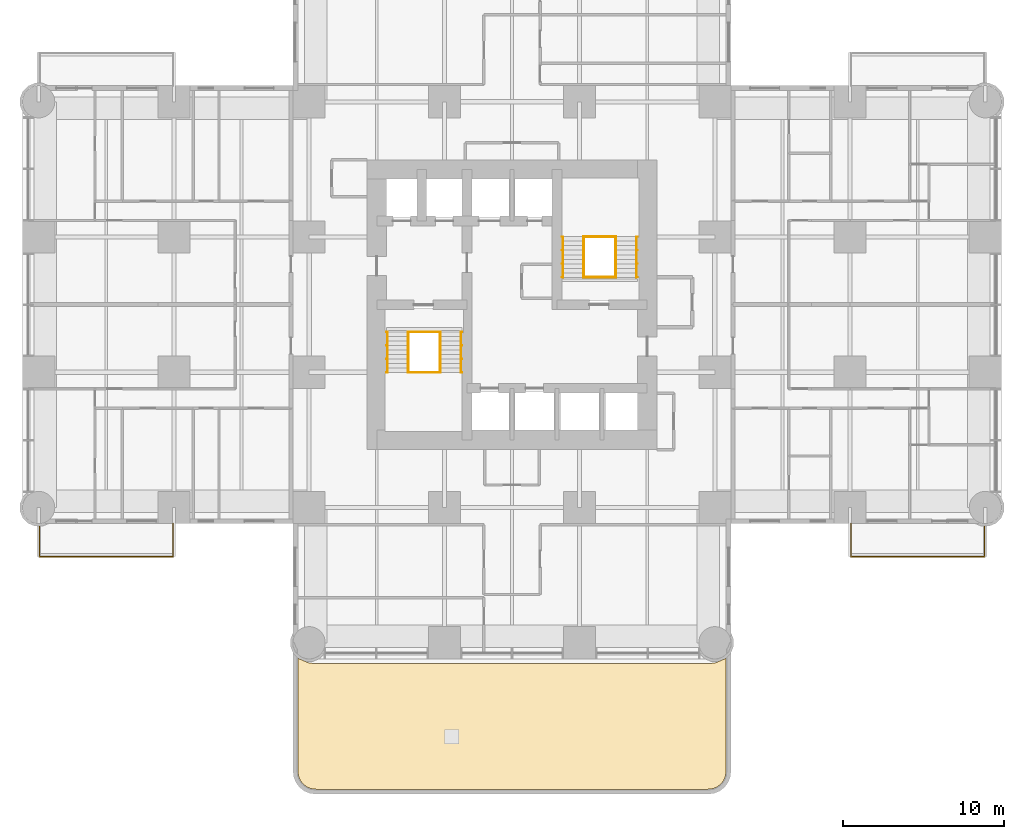
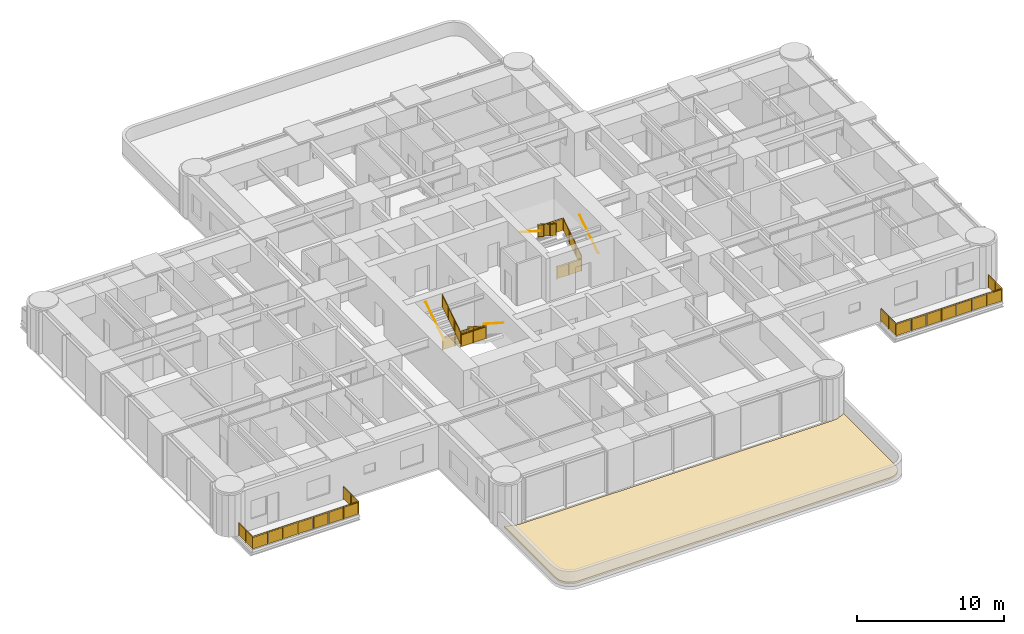
# One storey, part 13 of 14: 14 railings, 1 covering.
"""IFC4 building model written with IfcOpenShell, lengths in metres."""

from ifc_helpers import new_model, si_unit, direction, frame, origin, origin_2d, place, context, subcontext, project, spatial, polyline, circle, outline, extrude, material, layer, layer_set, constituent, constituent_set, type_object, element, save


model = new_model("IFC4")

# Units and contexts
model_context = context("Model", 3, precision=1e-05, world=origin(), true_north=direction((0.0, 1.0)))
body_context = subcontext(model_context, "Body", "Model", "MODEL_VIEW")
ifc_project = project(units=[si_unit("LENGTHUNIT", "METRE"), si_unit("AREAUNIT", "SQUARE_METRE"), si_unit("VOLUMEUNIT", "CUBIC_METRE"), si_unit("PLANEANGLEUNIT", "RADIAN"), si_unit("MASSUNIT", "GRAM", prefix="KILO")], contexts=[model_context])

# Site, building, storey
site_placement = place(None, origin())
site = spatial("IfcSite", under=ifc_project, at=site_placement, CompositionType="ELEMENT")
building_placement = place(site_placement, origin())
building = spatial("IfcBuilding", under=site, at=building_placement, Name="Torre Alcanfor", CompositionType="ELEMENT")
storey_placement = place(building_placement, frame((0.0, 0.0, 108.89990234375)))
storey = spatial("IfcBuildingStorey", under=building, at=storey_placement, Name="L27", CompositionType="ELEMENT", Elevation=108.89990234375)

# Railings
ifc_material_1 = material(Name="Laminated safety glass", Category="glass")
ifc_constituent_1 = constituent(ifc_material_1, Name="Infill")
ifc_material_2 = material(Name="Stainless steel ASTM A554 Grade MT 316L tube", Category="steel")
ifc_constituent_2 = constituent(ifc_material_2, Name="Posts and rail")
ifc_constituent_set = constituent_set(constituents=[ifc_constituent_1, ifc_constituent_2], Name="Balcony guard glass 1100")
railing_type_1 = type_object("IfcRailingType", Name="Balcony guard glass 1100", PredefinedType="BALUSTRADE", material=ifc_constituent_set)
railing_1_placement = place(storey_placement, frame((50.449951171875, 15.800048828125, 0.0)))
element("IfcRailing", 1, at=railing_1_placement, inside=storey, type_object=railing_type_1, Name="Balcony guard L27-E2", PredefinedType="BALUSTRADE", context=body_context, shape_type="SweptSolid", body=[
    extrude(circle(Radius=0.02392578125, at=origin_2d()), frame((0.0, 0.0, 1.076171875), z_axis=(0.0, -1.0, 0.0), x_axis=(1.0, 0.0, 0.0)), (0.0, 0.0, 1.0), 2.050048828125),
    extrude(circle(Radius=0.02392578125, at=origin_2d()), frame((0.0, -2.050048828125, 1.076171875), z_axis=(1.0, 0.0, 0.0), x_axis=(0.0, 1.0, 0.0)), (0.0, 0.0, 1.0), 8.300048828125),
    extrude(circle(Radius=0.02392578125, at=origin_2d()), frame((8.300048828125, -2.050048828125, 1.076171875), z_axis=(0.0, 1.0, 0.0), x_axis=(-1.0, 0.0, 0.0)), (0.0, 0.0, 1.0), 1.868896484375),
    extrude(circle(Radius=0.02099609375, at=origin_2d()), origin(), (0.0, 0.0, 1.0), 1.052001953125),
    extrude(circle(Radius=0.02099609375, at=origin_2d()), frame((0.0, -1.02490234375, 0.0)), (0.0, 0.0, 1.0), 1.052001953125),
    extrude(circle(Radius=0.02099609375, at=origin_2d()), frame((0.0, -2.050048828125, 0.0)), (0.0, 0.0, 1.0), 1.052001953125),
    extrude(circle(Radius=0.02099609375, at=origin_2d()), frame((1.185791015625, -2.050048828125, 0.0)), (0.0, 0.0, 1.0), 1.052001953125),
    extrude(circle(Radius=0.02099609375, at=origin_2d()), frame((2.371337890625, -2.050048828125, 0.0)), (0.0, 0.0, 1.0), 1.052001953125),
    extrude(circle(Radius=0.02099609375, at=origin_2d()), frame((3.55712890625, -2.050048828125, 0.0)), (0.0, 0.0, 1.0), 1.052001953125),
    extrude(circle(Radius=0.02099609375, at=origin_2d()), frame((4.742919921875, -2.050048828125, 0.0)), (0.0, 0.0, 1.0), 1.052001953125),
    extrude(circle(Radius=0.02099609375, at=origin_2d()), frame((5.9287109375, -2.050048828125, 0.0)), (0.0, 0.0, 1.0), 1.052001953125),
    extrude(circle(Radius=0.02099609375, at=origin_2d()), frame((7.1142578125, -2.050048828125, 0.0)), (0.0, 0.0, 1.0), 1.052001953125),
    extrude(circle(Radius=0.02099609375, at=origin_2d()), frame((8.300048828125, -2.050048828125, 0.0)), (0.0, 0.0, 1.0), 1.052001953125),
    extrude(circle(Radius=0.02099609375, at=origin_2d()), frame((8.300048828125, -1.11572265625, 0.0)), (0.0, 0.0, 1.0), 1.052001953125),
    extrude(circle(Radius=0.02099609375, at=origin_2d()), frame((8.300048828125, -0.18115234375, 0.0)), (0.0, 0.0, 1.0), 1.052001953125),
    extrude(outline(polyline([(0.041015625, 0.050048828125), (0.984130859375, 0.050048828125), (0.984130859375, 1.001953125), (0.041015625, 1.001953125), (0.041015625, 0.050048828125)])), frame((0.005859375, 0.0, 0.0), z_axis=(-1.0, 0.0, 0.0), x_axis=(0.0, -1.0, 0.0)), (0.0, 0.0, 1.0), 0.011962890625),
    extrude(outline(polyline([(1.06591796875, 0.050048828125), (2.009033203125, 0.050048828125), (2.009033203125, 1.001953125), (1.06591796875, 1.001953125), (1.06591796875, 0.050048828125)])), frame((0.005859375, 0.0, 0.0), z_axis=(-1.0, 0.0, 0.0), x_axis=(0.0, -1.0, 0.0)), (0.0, 0.0, 1.0), 0.011962890625),
    extrude(outline(polyline([(0.041015625, 0.050048828125), (1.144775390625, 0.050048828125), (1.144775390625, 1.001953125), (0.041015625, 1.001953125), (0.041015625, 0.050048828125)])), frame((0.0, -2.0439453125, 0.0), z_axis=(0.0, -1.0, 0.0), x_axis=(1.0, 0.0, 0.0)), (0.0, 0.0, 1.0), 0.011962890625),
    extrude(outline(polyline([(1.226806640625, 0.050048828125), (2.330322265625, 0.050048828125), (2.330322265625, 1.001953125), (1.226806640625, 1.001953125), (1.226806640625, 0.050048828125)])), frame((0.0, -2.0439453125, 0.0), z_axis=(0.0, -1.0, 0.0), x_axis=(1.0, 0.0, 0.0)), (0.0, 0.0, 1.0), 0.011962890625),
    extrude(outline(polyline([(2.412353515625, 0.050048828125), (3.51611328125, 0.050048828125), (3.51611328125, 1.001953125), (2.412353515625, 1.001953125), (2.412353515625, 0.050048828125)])), frame((0.0, -2.0439453125, 0.0), z_axis=(0.0, -1.0, 0.0), x_axis=(1.0, 0.0, 0.0)), (0.0, 0.0, 1.0), 0.011962890625),
    extrude(outline(polyline([(3.59814453125, 0.050048828125), (4.701904296875, 0.050048828125), (4.701904296875, 1.001953125), (3.59814453125, 1.001953125), (3.59814453125, 0.050048828125)])), frame((0.0, -2.0439453125, 0.0), z_axis=(0.0, -1.0, 0.0), x_axis=(1.0, 0.0, 0.0)), (0.0, 0.0, 1.0), 0.011962890625),
    extrude(outline(polyline([(4.783935546875, 0.050048828125), (5.8876953125, 0.050048828125), (5.8876953125, 1.001953125), (4.783935546875, 1.001953125), (4.783935546875, 0.050048828125)])), frame((0.0, -2.0439453125, 0.0), z_axis=(0.0, -1.0, 0.0), x_axis=(1.0, 0.0, 0.0)), (0.0, 0.0, 1.0), 0.011962890625),
    extrude(outline(polyline([(5.9697265625, 0.050048828125), (7.0732421875, 0.050048828125), (7.0732421875, 1.001953125), (5.9697265625, 1.001953125), (5.9697265625, 0.050048828125)])), frame((0.0, -2.0439453125, 0.0), z_axis=(0.0, -1.0, 0.0), x_axis=(1.0, 0.0, 0.0)), (0.0, 0.0, 1.0), 0.011962890625),
    extrude(outline(polyline([(7.1552734375, 0.050048828125), (8.259033203125, 0.050048828125), (8.259033203125, 1.001953125), (7.1552734375, 1.001953125), (7.1552734375, 0.050048828125)])), frame((0.0, -2.0439453125, 0.0), z_axis=(0.0, -1.0, 0.0), x_axis=(1.0, 0.0, 0.0)), (0.0, 0.0, 1.0), 0.011962890625),
    extrude(outline(polyline([(0.041015625, 0.050048828125), (0.8935546875, 0.050048828125), (0.8935546875, 1.001953125), (0.041015625, 1.001953125), (0.041015625, 0.050048828125)])), frame((8.2939453125, -2.050048828125, 0.0), z_axis=(1.0, 0.0, 0.0), x_axis=(0.0, 1.0, 0.0)), (0.0, 0.0, 1.0), 0.011962890625),
    extrude(outline(polyline([(0.975341796875, 0.050048828125), (1.827880859375, 0.050048828125), (1.827880859375, 1.001953125), (0.975341796875, 1.001953125), (0.975341796875, 0.050048828125)])), frame((8.2939453125, -2.050048828125, 0.0), z_axis=(1.0, 0.0, 0.0), x_axis=(0.0, 1.0, 0.0)), (0.0, 0.0, 1.0), 0.011962890625),
])
railing_2_placement = place(storey_placement, frame((8.35009765625, 15.800048828125, 0.0)))
element("IfcRailing", 2, at=railing_2_placement, inside=storey, type_object=railing_type_1, Name="Balcony guard L27-W1", PredefinedType="BALUSTRADE", context=body_context, shape_type="SweptSolid", body=[
    extrude(circle(Radius=0.02392578125, at=origin_2d()), frame((0.0, 0.0, 1.076171875), z_axis=(0.0, -1.0, 0.0), x_axis=(1.0, 0.0, 0.0)), (0.0, 0.0, 1.0), 2.050048828125),
    extrude(circle(Radius=0.02392578125, at=origin_2d()), frame((0.0, -2.050048828125, 1.076171875), z_axis=(-1.0, 0.0, 0.0), x_axis=(0.0, -1.0, 0.0)), (0.0, 0.0, 1.0), 8.300048828125),
    extrude(circle(Radius=0.02392578125, at=origin_2d()), frame((-8.300048828125, -2.050048828125, 1.076171875), z_axis=(0.0, 1.0, 0.0), x_axis=(-1.0, 0.0, 0.0)), (0.0, 0.0, 1.0), 1.868896484375),
    extrude(circle(Radius=0.02099609375, at=origin_2d()), origin(), (0.0, 0.0, 1.0), 1.052001953125),
    extrude(circle(Radius=0.02099609375, at=origin_2d()), frame((0.0, -1.02490234375, 0.0)), (0.0, 0.0, 1.0), 1.052001953125),
    extrude(circle(Radius=0.02099609375, at=origin_2d()), frame((0.0, -2.050048828125, 0.0)), (0.0, 0.0, 1.0), 1.052001953125),
    extrude(circle(Radius=0.02099609375, at=origin_2d()), frame((-1.185791015625, -2.050048828125, 0.0)), (0.0, 0.0, 1.0), 1.052001953125),
    extrude(circle(Radius=0.02099609375, at=origin_2d()), frame((-2.371337890625, -2.050048828125, 0.0)), (0.0, 0.0, 1.0), 1.052001953125),
    extrude(circle(Radius=0.02099609375, at=origin_2d()), frame((-3.55712890625, -2.050048828125, 0.0)), (0.0, 0.0, 1.0), 1.052001953125),
    extrude(circle(Radius=0.02099609375, at=origin_2d()), frame((-4.742919921875, -2.050048828125, 0.0)), (0.0, 0.0, 1.0), 1.052001953125),
    extrude(circle(Radius=0.02099609375, at=origin_2d()), frame((-5.9287109375, -2.050048828125, 0.0)), (0.0, 0.0, 1.0), 1.052001953125),
    extrude(circle(Radius=0.02099609375, at=origin_2d()), frame((-7.1142578125, -2.050048828125, 0.0)), (0.0, 0.0, 1.0), 1.052001953125),
    extrude(circle(Radius=0.02099609375, at=origin_2d()), frame((-8.300048828125, -2.050048828125, 0.0)), (0.0, 0.0, 1.0), 1.052001953125),
    extrude(circle(Radius=0.02099609375, at=origin_2d()), frame((-8.300048828125, -1.11572265625, 0.0)), (0.0, 0.0, 1.0), 1.052001953125),
    extrude(circle(Radius=0.02099609375, at=origin_2d()), frame((-8.300048828125, -0.18115234375, 0.0)), (0.0, 0.0, 1.0), 1.052001953125),
    extrude(outline(polyline([(0.041015625, 0.050048828125), (0.984130859375, 0.050048828125), (0.984130859375, 1.001953125), (0.041015625, 1.001953125), (0.041015625, 0.050048828125)])), frame((0.005859375, 0.0, 0.0), z_axis=(-1.0, 0.0, 0.0), x_axis=(0.0, -1.0, 0.0)), (0.0, 0.0, 1.0), 0.011962890625),
    extrude(outline(polyline([(1.06591796875, 0.050048828125), (2.009033203125, 0.050048828125), (2.009033203125, 1.001953125), (1.06591796875, 1.001953125), (1.06591796875, 0.050048828125)])), frame((0.005859375, 0.0, 0.0), z_axis=(-1.0, 0.0, 0.0), x_axis=(0.0, -1.0, 0.0)), (0.0, 0.0, 1.0), 0.011962890625),
    extrude(outline(polyline([(0.041015625, 0.050048828125), (1.144775390625, 0.050048828125), (1.144775390625, 1.001953125), (0.041015625, 1.001953125), (0.041015625, 0.050048828125)])), frame((0.0, -2.05615234375, 0.0), z_axis=(0.0, 1.0, 0.0), x_axis=(-1.0, 0.0, 0.0)), (0.0, 0.0, 1.0), 0.011962890625),
    extrude(outline(polyline([(1.226806640625, 0.050048828125), (2.330322265625, 0.050048828125), (2.330322265625, 1.001953125), (1.226806640625, 1.001953125), (1.226806640625, 0.050048828125)])), frame((0.0, -2.05615234375, 0.0), z_axis=(0.0, 1.0, 0.0), x_axis=(-1.0, 0.0, 0.0)), (0.0, 0.0, 1.0), 0.011962890625),
    extrude(outline(polyline([(2.412353515625, 0.050048828125), (3.51611328125, 0.050048828125), (3.51611328125, 1.001953125), (2.412353515625, 1.001953125), (2.412353515625, 0.050048828125)])), frame((0.0, -2.05615234375, 0.0), z_axis=(0.0, 1.0, 0.0), x_axis=(-1.0, 0.0, 0.0)), (0.0, 0.0, 1.0), 0.011962890625),
    extrude(outline(polyline([(3.59814453125, 0.050048828125), (4.701904296875, 0.050048828125), (4.701904296875, 1.001953125), (3.59814453125, 1.001953125), (3.59814453125, 0.050048828125)])), frame((0.0, -2.05615234375, 0.0), z_axis=(0.0, 1.0, 0.0), x_axis=(-1.0, 0.0, 0.0)), (0.0, 0.0, 1.0), 0.011962890625),
    extrude(outline(polyline([(4.783935546875, 0.050048828125), (5.8876953125, 0.050048828125), (5.8876953125, 1.001953125), (4.783935546875, 1.001953125), (4.783935546875, 0.050048828125)])), frame((0.0, -2.05615234375, 0.0), z_axis=(0.0, 1.0, 0.0), x_axis=(-1.0, 0.0, 0.0)), (0.0, 0.0, 1.0), 0.011962890625),
    extrude(outline(polyline([(5.9697265625, 0.050048828125), (7.0732421875, 0.050048828125), (7.0732421875, 1.001953125), (5.9697265625, 1.001953125), (5.9697265625, 0.050048828125)])), frame((0.0, -2.05615234375, 0.0), z_axis=(0.0, 1.0, 0.0), x_axis=(-1.0, 0.0, 0.0)), (0.0, 0.0, 1.0), 0.011962890625),
    extrude(outline(polyline([(7.1552734375, 0.050048828125), (8.259033203125, 0.050048828125), (8.259033203125, 1.001953125), (7.1552734375, 1.001953125), (7.1552734375, 0.050048828125)])), frame((0.0, -2.05615234375, 0.0), z_axis=(0.0, 1.0, 0.0), x_axis=(-1.0, 0.0, 0.0)), (0.0, 0.0, 1.0), 0.011962890625),
    extrude(outline(polyline([(0.041015625, 0.050048828125), (0.8935546875, 0.050048828125), (0.8935546875, 1.001953125), (0.041015625, 1.001953125), (0.041015625, 0.050048828125)])), frame((-8.30615234375, -2.050048828125, 0.0), z_axis=(1.0, 0.0, 0.0), x_axis=(0.0, 1.0, 0.0)), (0.0, 0.0, 1.0), 0.011962890625),
    extrude(outline(polyline([(0.975341796875, 0.050048828125), (1.827880859375, 0.050048828125), (1.827880859375, 1.001953125), (0.975341796875, 1.001953125), (0.975341796875, 0.050048828125)])), frame((-8.30615234375, -2.050048828125, 0.0), z_axis=(1.0, 0.0, 0.0), x_axis=(0.0, 1.0, 0.0)), (0.0, 0.0, 1.0), 0.011962890625),
])

# Covering
ifc_material_3 = material(Name="Growing medium on drainage board and waterproofing", Category="masonry")
ifc_layer = layer(ifc_material_3, 0.14990234375)
ifc_layer_set = layer_set([ifc_layer], Name="Planted roof build-up 150")
covering_type = type_object("IfcCoveringType", Name="Planted roof build-up 150", PredefinedType="ROOFING", material=ifc_layer_set)
covering_placement = place(storey_placement, origin())
element("IfcCovering", 3, at=covering_placement, inside=storey, type_object=covering_type, Name="Planted maintenance roof L27 1", PredefinedType="ROOFING", context=body_context, shape_type="SweptSolid", body=[
    extrude(outline(polyline([(16.3486328125, 7.32568359375), (16.759521484375, 7.155517578125), (17.180419921875, 7.10009765625), (41.61962890625, 7.10009765625), (42.04052734375, 7.155517578125), (42.451416015625, 7.32568359375), (42.4677734375, 7.338134765625), (42.656982421875, 7.41650390625), (42.699951171875, 7.45947265625), (42.699951171875, 0.419677734375), (42.659912109375, 0.115966796875), (42.55029296875, -0.148681640625), (42.3759765625, -0.3759765625), (42.148681640625, -0.55029296875), (41.884033203125, -0.659912109375), (41.580322265625, -0.699951171875), (17.2197265625, -0.699951171875), (16.916015625, -0.659912109375), (16.6513671875, -0.55029296875), (16.424072265625, -0.3759765625), (16.24951171875, -0.148681640625), (16.139892578125, 0.115966796875), (16.10009765625, 0.419677734375), (16.10009765625, 7.45947265625), (16.142822265625, 7.41650390625), (16.332275390625, 7.338134765625), (16.3486328125, 7.32568359375)])), origin(), (0.0, 0.0, 1.0), 0.150146484375),
])

# Railings
ifc_material_4 = material(Name="Steel ASTM A500 Grade C hollow sections", Category="steel")
railing_type_2 = type_object("IfcRailingType", Name="Stair guard and handrail 1100", PredefinedType="GUARDRAIL", material=ifc_material_4)
railing_3_placement = place(storey_placement, frame((24.949951171875, 27.699951171875, 0.18017578125)))
element("IfcRailing", 4, at=railing_3_placement, inside=storey, type_object=railing_type_2, Name="Stair guard S1 L27 flight 1", PredefinedType="GUARDRAIL", context=body_context, shape_type="SweptSolid", body=[
    extrude(circle(Radius=0.02392578125, at=origin_2d()), frame((0.0, 0.0, 1.076171875), z_axis=(0.0, -0.841199657755, 0.540724639528), x_axis=(1.0, 0.0, 0.0)), (0.0, 0.0, 1.0), 2.995849609375),
    extrude(circle(Radius=0.02099609375, at=origin_2d()), origin(), (0.0, 0.0, 1.0), 1.052001953125),
    extrude(circle(Radius=0.02099609375, at=origin_2d()), frame((0.0, -0.840087890625, 0.5400390625)), (0.0, 0.0, 1.0), 1.052001953125),
    extrude(circle(Radius=0.02099609375, at=origin_2d()), frame((0.0, -1.679931640625, 1.079833984375)), (0.0, 0.0, 1.0), 1.052001953125),
    extrude(circle(Radius=0.02099609375, at=origin_2d()), frame((0.0, -2.52001953125, 1.619873046875)), (0.0, 0.0, 1.0), 1.052001953125),
    extrude(outline(polyline([(0.041015625, 0.076416015625), (0.799072265625, 0.563720703125), (0.799072265625, 1.515625), (0.041015625, 1.0283203125), (0.041015625, 0.076416015625)])), frame((0.005859375, 0.0, 0.0), z_axis=(-1.0, 0.0, 0.0), x_axis=(0.0, -1.0, 0.0)), (0.0, 0.0, 1.0), 0.011962890625),
    extrude(outline(polyline([(0.881103515625, 0.6162109375), (1.638916015625, 1.103515625), (1.638916015625, 2.0556640625), (0.881103515625, 1.568359375), (0.881103515625, 0.6162109375)])), frame((0.005859375, 0.0, 0.0), z_axis=(-1.0, 0.0, 0.0), x_axis=(0.0, -1.0, 0.0)), (0.0, 0.0, 1.0), 0.011962890625),
    extrude(outline(polyline([(1.720947265625, 1.15625), (2.47900390625, 1.6435546875), (2.47900390625, 2.595458984375), (1.720947265625, 2.108154296875), (1.720947265625, 1.15625)])), frame((0.005859375, 0.0, 0.0), z_axis=(-1.0, 0.0, 0.0), x_axis=(0.0, -1.0, 0.0)), (0.0, 0.0, 1.0), 0.011962890625),
])
railing_4_placement = place(storey_placement, frame((22.949951171875, 25.179931640625, 1.97998046875)))
element("IfcRailing", 5, at=railing_4_placement, inside=storey, type_object=railing_type_2, Name="Stair guard S1 L27 flight 2", PredefinedType="GUARDRAIL", context=body_context, shape_type="SweptSolid", body=[
    extrude(circle(Radius=0.02392578125, at=origin_2d()), frame((0.0, 0.0, 1.076171875), z_axis=(0.0, 0.841162588446, 0.540782303519), x_axis=(-1.0, 0.0, 0.0)), (0.0, 0.0, 1.0), 2.995849609375),
    extrude(circle(Radius=0.02099609375, at=origin_2d()), origin(), (0.0, 0.0, 1.0), 1.052001953125),
    extrude(circle(Radius=0.02099609375, at=origin_2d()), frame((0.0, 0.840087890625, 0.5400390625)), (0.0, 0.0, 1.0), 1.052001953125),
    extrude(circle(Radius=0.02099609375, at=origin_2d()), frame((0.0, 1.679931640625, 1.080078125)), (0.0, 0.0, 1.0), 1.052001953125),
    extrude(circle(Radius=0.02099609375, at=origin_2d()), frame((0.0, 2.52001953125, 1.6201171875)), (0.0, 0.0, 1.0), 1.052001953125),
    extrude(outline(polyline([(0.041015625, 0.076416015625), (0.799072265625, 0.563720703125), (0.799072265625, 1.515625), (0.041015625, 1.0283203125), (0.041015625, 0.076416015625)])), frame((-0.005859375, 0.0, 0.0), z_axis=(1.0, 0.0, 0.0), x_axis=(0.0, 1.0, 0.0)), (0.0, 0.0, 1.0), 0.011962890625),
    extrude(outline(polyline([(0.881103515625, 0.616455078125), (1.638916015625, 1.103759765625), (1.638916015625, 2.0556640625), (0.881103515625, 1.568359375), (0.881103515625, 0.616455078125)])), frame((-0.005859375, 0.0, 0.0), z_axis=(1.0, 0.0, 0.0), x_axis=(0.0, 1.0, 0.0)), (0.0, 0.0, 1.0), 0.011962890625),
    extrude(outline(polyline([(1.720947265625, 1.156494140625), (2.47900390625, 1.643798828125), (2.47900390625, 2.595703125), (1.720947265625, 2.1083984375), (1.720947265625, 1.156494140625)])), frame((-0.005859375, 0.0, 0.0), z_axis=(1.0, 0.0, 0.0), x_axis=(0.0, 1.0, 0.0)), (0.0, 0.0, 1.0), 0.011962890625),
])
for number, where, name in (
    (6, (22.949951171875, 27.699951171875, 0.0), "Stair well guard S1 L27 floor landing"),
    (7, (22.949951171875, 25.179931640625, 1.800048828125), "Stair well guard S1 L27 half landing"),
):
    element("IfcRailing", number, at=place(storey_placement, frame(where)), inside=storey, type_object=railing_type_2, Name=name, PredefinedType="GUARDRAIL", context=body_context, shape_type="SweptSolid", body=[
        extrude(circle(Radius=0.02392578125, at=origin_2d()), frame((0.0, 0.0, 1.076171875), z_axis=(1.0, 0.0, 0.0), x_axis=(0.0, 1.0, 0.0)), (0.0, 0.0, 1.0), 2.0),
        extrude(circle(Radius=0.02099609375, at=origin_2d()), origin(), (0.0, 0.0, 1.0), 1.052001953125),
        extrude(circle(Radius=0.02099609375, at=origin_2d()), frame((1.0, 0.0, 0.0)), (0.0, 0.0, 1.0), 1.052001953125),
        extrude(circle(Radius=0.02099609375, at=origin_2d()), frame((2.0, 0.0, 0.0)), (0.0, 0.0, 1.0), 1.052001953125),
        extrude(outline(polyline([(0.041015625, 0.050048828125), (0.958984375, 0.050048828125), (0.958984375, 1.001953125), (0.041015625, 1.001953125), (0.041015625, 0.050048828125)])), frame((0.0, 0.005859375, 0.0), z_axis=(0.0, -1.0, 0.0), x_axis=(1.0, 0.0, 0.0)), (0.0, 0.0, 1.0), 0.011962890625),
        extrude(outline(polyline([(1.041015625, 0.050048828125), (1.958984375, 0.050048828125), (1.958984375, 1.001953125), (1.041015625, 1.001953125), (1.041015625, 0.050048828125)])), frame((0.0, 0.005859375, 0.0), z_axis=(0.0, -1.0, 0.0), x_axis=(1.0, 0.0, 0.0)), (0.0, 0.0, 1.0), 0.011962890625),
    ])
railing_5_placement = place(storey_placement, frame((35.85009765625, 31.10009765625, 0.18017578125)))
element("IfcRailing", 8, at=railing_5_placement, inside=storey, type_object=railing_type_2, Name="Stair guard S2 L27 flight 1", PredefinedType="GUARDRAIL", context=body_context, shape_type="SweptSolid", body=[
    extrude(circle(Radius=0.02392578125, at=origin_2d()), frame((0.0, 0.0, 1.076171875), z_axis=(0.0, 0.841199657755, 0.540724639528), x_axis=(-1.0, 0.0, 0.0)), (0.0, 0.0, 1.0), 2.995849609375),
    extrude(circle(Radius=0.02099609375, at=origin_2d()), origin(), (0.0, 0.0, 1.0), 1.052001953125),
    extrude(circle(Radius=0.02099609375, at=origin_2d()), frame((0.0, 0.840087890625, 0.5400390625)), (0.0, 0.0, 1.0), 1.052001953125),
    extrude(circle(Radius=0.02099609375, at=origin_2d()), frame((0.0, 1.679931640625, 1.079833984375)), (0.0, 0.0, 1.0), 1.052001953125),
    extrude(circle(Radius=0.02099609375, at=origin_2d()), frame((0.0, 2.52001953125, 1.619873046875)), (0.0, 0.0, 1.0), 1.052001953125),
    extrude(outline(polyline([(0.041015625, 0.076416015625), (0.799072265625, 0.563720703125), (0.799072265625, 1.515625), (0.041015625, 1.0283203125), (0.041015625, 0.076416015625)])), frame((-0.005859375, 0.0, 0.0), z_axis=(1.0, 0.0, 0.0), x_axis=(0.0, 1.0, 0.0)), (0.0, 0.0, 1.0), 0.011962890625),
    extrude(outline(polyline([(0.881103515625, 0.6162109375), (1.638916015625, 1.103515625), (1.638916015625, 2.0556640625), (0.881103515625, 1.568359375), (0.881103515625, 0.6162109375)])), frame((-0.005859375, 0.0, 0.0), z_axis=(1.0, 0.0, 0.0), x_axis=(0.0, 1.0, 0.0)), (0.0, 0.0, 1.0), 0.011962890625),
    extrude(outline(polyline([(1.720947265625, 1.15625), (2.47900390625, 1.6435546875), (2.47900390625, 2.595458984375), (1.720947265625, 2.108154296875), (1.720947265625, 1.15625)])), frame((-0.005859375, 0.0, 0.0), z_axis=(1.0, 0.0, 0.0), x_axis=(0.0, 1.0, 0.0)), (0.0, 0.0, 1.0), 0.011962890625),
])
railing_6_placement = place(storey_placement, frame((33.85009765625, 33.6201171875, 1.97998046875)))
element("IfcRailing", 9, at=railing_6_placement, inside=storey, type_object=railing_type_2, Name="Stair guard S2 L27 flight 2", PredefinedType="GUARDRAIL", context=body_context, shape_type="SweptSolid", body=[
    extrude(circle(Radius=0.02392578125, at=origin_2d()), frame((0.0, 0.0, 1.076171875), z_axis=(0.0, -0.841162588446, 0.540782303519), x_axis=(1.0, 0.0, 0.0)), (0.0, 0.0, 1.0), 2.995849609375),
    extrude(circle(Radius=0.02099609375, at=origin_2d()), origin(), (0.0, 0.0, 1.0), 1.052001953125),
    extrude(circle(Radius=0.02099609375, at=origin_2d()), frame((0.0, -0.840087890625, 0.5400390625)), (0.0, 0.0, 1.0), 1.052001953125),
    extrude(circle(Radius=0.02099609375, at=origin_2d()), frame((0.0, -1.679931640625, 1.080078125)), (0.0, 0.0, 1.0), 1.052001953125),
    extrude(circle(Radius=0.02099609375, at=origin_2d()), frame((0.0, -2.52001953125, 1.6201171875)), (0.0, 0.0, 1.0), 1.052001953125),
    extrude(outline(polyline([(0.041015625, 0.076416015625), (0.799072265625, 0.563720703125), (0.799072265625, 1.515625), (0.041015625, 1.0283203125), (0.041015625, 0.076416015625)])), frame((0.005859375, 0.0, 0.0), z_axis=(-1.0, 0.0, 0.0), x_axis=(0.0, -1.0, 0.0)), (0.0, 0.0, 1.0), 0.011962890625),
    extrude(outline(polyline([(0.881103515625, 0.616455078125), (1.638916015625, 1.103759765625), (1.638916015625, 2.0556640625), (0.881103515625, 1.568359375), (0.881103515625, 0.616455078125)])), frame((0.005859375, 0.0, 0.0), z_axis=(-1.0, 0.0, 0.0), x_axis=(0.0, -1.0, 0.0)), (0.0, 0.0, 1.0), 0.011962890625),
    extrude(outline(polyline([(1.720947265625, 1.156494140625), (2.47900390625, 1.643798828125), (2.47900390625, 2.595703125), (1.720947265625, 2.1083984375), (1.720947265625, 1.156494140625)])), frame((0.005859375, 0.0, 0.0), z_axis=(-1.0, 0.0, 0.0), x_axis=(0.0, -1.0, 0.0)), (0.0, 0.0, 1.0), 0.011962890625),
])
for number, where, name in (
    (10, (33.85009765625, 31.10009765625, 0.0), "Stair well guard S2 L27 floor landing"),
    (11, (33.85009765625, 33.6201171875, 1.800048828125), "Stair well guard S2 L27 half landing"),
):
    element("IfcRailing", number, at=place(storey_placement, frame(where)), inside=storey, type_object=railing_type_2, Name=name, PredefinedType="GUARDRAIL", context=body_context, shape_type="SweptSolid", body=[
        extrude(circle(Radius=0.02392578125, at=origin_2d()), frame((0.0, 0.0, 1.076171875), z_axis=(1.0, 0.0, 0.0), x_axis=(0.0, 1.0, 0.0)), (0.0, 0.0, 1.0), 2.0),
        extrude(circle(Radius=0.02099609375, at=origin_2d()), origin(), (0.0, 0.0, 1.0), 1.052001953125),
        extrude(circle(Radius=0.02099609375, at=origin_2d()), frame((1.0, 0.0, 0.0)), (0.0, 0.0, 1.0), 1.052001953125),
        extrude(circle(Radius=0.02099609375, at=origin_2d()), frame((2.0, 0.0, 0.0)), (0.0, 0.0, 1.0), 1.052001953125),
        extrude(outline(polyline([(0.041015625, 0.050048828125), (0.958984375, 0.050048828125), (0.958984375, 1.001953125), (0.041015625, 1.001953125), (0.041015625, 0.050048828125)])), frame((0.0, 0.005859375, 0.0), z_axis=(0.0, -1.0, 0.0), x_axis=(1.0, 0.0, 0.0)), (0.0, 0.0, 1.0), 0.011962890625),
        extrude(outline(polyline([(1.041015625, 0.050048828125), (1.958984375, 0.050048828125), (1.958984375, 1.001953125), (1.041015625, 1.001953125), (1.041015625, 0.050048828125)])), frame((0.0, 0.005859375, 0.0), z_axis=(0.0, -1.0, 0.0), x_axis=(1.0, 0.0, 0.0)), (0.0, 0.0, 1.0), 0.011962890625),
    ])
ifc_material_5 = material(Name="Steel ASTM A500 Grade C hollow sections", Category="steel")
railing_type_3 = type_object("IfcRailingType", Name="Stair wall handrail 900", PredefinedType="HANDRAIL", material=ifc_material_5)
railing_7_placement = place(storey_placement, frame((26.235107421875, 27.699951171875, 0.18017578125)))
element("IfcRailing", 12, at=railing_7_placement, inside=storey, type_object=railing_type_3, Name="Stair handrail S1 L27 flight 1", PredefinedType="HANDRAIL", context=body_context, shape_type="SweptSolid", body=[
    extrude(circle(Radius=0.02392578125, at=origin_2d()), frame((0.0, 0.0, 0.8759765625), z_axis=(0.0, -0.841199657755, 0.540724639528), x_axis=(1.0, 0.0, 0.0)), (0.0, 0.0, 1.0), 2.995849609375),
    extrude(circle(Radius=0.008056640625, at=origin_2d()), frame((0.0, 0.0, 0.8759765625), z_axis=(1.0, 0.0, 0.0), x_axis=(0.0, 0.0, 1.0)), (0.0, 0.0, 1.0), 0.06494140625),
    extrude(circle(Radius=0.008056640625, at=origin_2d()), frame((0.0, -0.840087890625, 1.415771484375), z_axis=(1.0, 0.0, 0.0), x_axis=(0.0, 0.0, 1.0)), (0.0, 0.0, 1.0), 0.06494140625),
    extrude(circle(Radius=0.008056640625, at=origin_2d()), frame((0.0, -1.679931640625, 1.955810546875), z_axis=(1.0, 0.0, 0.0), x_axis=(0.0, 0.0, 1.0)), (0.0, 0.0, 1.0), 0.06494140625),
    extrude(circle(Radius=0.008056640625, at=origin_2d()), frame((0.0, -2.52001953125, 2.49560546875), z_axis=(1.0, 0.0, 0.0), x_axis=(0.0, 0.0, 1.0)), (0.0, 0.0, 1.0), 0.06494140625),
])
railing_8_placement = place(storey_placement, frame((21.6650390625, 25.179931640625, 1.97998046875)))
element("IfcRailing", 13, at=railing_8_placement, inside=storey, type_object=railing_type_3, Name="Stair handrail S1 L27 flight 2", PredefinedType="HANDRAIL", context=body_context, shape_type="SweptSolid", body=[
    extrude(circle(Radius=0.02392578125, at=origin_2d()), frame((0.0, 0.0, 0.8759765625), z_axis=(0.0, 0.841162588446, 0.540782303519), x_axis=(-1.0, 0.0, 0.0)), (0.0, 0.0, 1.0), 2.995849609375),
    extrude(circle(Radius=0.008056640625, at=origin_2d()), frame((0.0, 0.0, 0.8759765625), z_axis=(-1.0, 0.0, 0.0), x_axis=(0.0, 0.0, 1.0)), (0.0, 0.0, 1.0), 0.06494140625),
    extrude(circle(Radius=0.008056640625, at=origin_2d()), frame((0.0, 0.840087890625, 1.416015625), z_axis=(-1.0, 0.0, 0.0), x_axis=(0.0, 0.0, 1.0)), (0.0, 0.0, 1.0), 0.06494140625),
    extrude(circle(Radius=0.008056640625, at=origin_2d()), frame((0.0, 1.679931640625, 1.9560546875), z_axis=(-1.0, 0.0, 0.0), x_axis=(0.0, 0.0, 1.0)), (0.0, 0.0, 1.0), 0.06494140625),
    extrude(circle(Radius=0.008056640625, at=origin_2d()), frame((0.0, 2.52001953125, 2.49609375), z_axis=(-1.0, 0.0, 0.0), x_axis=(0.0, 0.0, 1.0)), (0.0, 0.0, 1.0), 0.06494140625),
])
railing_9_placement = place(storey_placement, frame((37.135009765625, 31.10009765625, 0.18017578125)))
element("IfcRailing", 14, at=railing_9_placement, inside=storey, type_object=railing_type_3, Name="Stair handrail S2 L27 flight 1", PredefinedType="HANDRAIL", context=body_context, shape_type="SweptSolid", body=[
    extrude(circle(Radius=0.02392578125, at=origin_2d()), frame((0.0, 0.0, 0.8759765625), z_axis=(0.0, 0.841199657755, 0.540724639528), x_axis=(-1.0, 0.0, 0.0)), (0.0, 0.0, 1.0), 2.995849609375),
    extrude(circle(Radius=0.008056640625, at=origin_2d()), frame((0.0, 0.0, 0.8759765625), z_axis=(1.0, 0.0, 0.0), x_axis=(0.0, 0.0, 1.0)), (0.0, 0.0, 1.0), 0.06494140625),
    extrude(circle(Radius=0.008056640625, at=origin_2d()), frame((0.0, 0.840087890625, 1.415771484375), z_axis=(1.0, 0.0, 0.0), x_axis=(0.0, 0.0, 1.0)), (0.0, 0.0, 1.0), 0.06494140625),
    extrude(circle(Radius=0.008056640625, at=origin_2d()), frame((0.0, 1.679931640625, 1.955810546875), z_axis=(1.0, 0.0, 0.0), x_axis=(0.0, 0.0, 1.0)), (0.0, 0.0, 1.0), 0.06494140625),
    extrude(circle(Radius=0.008056640625, at=origin_2d()), frame((0.0, 2.52001953125, 2.49560546875), z_axis=(1.0, 0.0, 0.0), x_axis=(0.0, 0.0, 1.0)), (0.0, 0.0, 1.0), 0.06494140625),
])
railing_10_placement = place(storey_placement, frame((32.56494140625, 33.6201171875, 1.97998046875)))
element("IfcRailing", 15, at=railing_10_placement, inside=storey, type_object=railing_type_3, Name="Stair handrail S2 L27 flight 2", PredefinedType="HANDRAIL", context=body_context, shape_type="SweptSolid", body=[
    extrude(circle(Radius=0.02392578125, at=origin_2d()), frame((0.0, 0.0, 0.8759765625), z_axis=(0.0, -0.841162588446, 0.540782303519), x_axis=(1.0, 0.0, 0.0)), (0.0, 0.0, 1.0), 2.995849609375),
    extrude(circle(Radius=0.008056640625, at=origin_2d()), frame((0.0, 0.0, 0.8759765625), z_axis=(-1.0, 0.0, 0.0), x_axis=(0.0, 0.0, 1.0)), (0.0, 0.0, 1.0), 0.06494140625),
    extrude(circle(Radius=0.008056640625, at=origin_2d()), frame((0.0, -0.840087890625, 1.416015625), z_axis=(-1.0, 0.0, 0.0), x_axis=(0.0, 0.0, 1.0)), (0.0, 0.0, 1.0), 0.06494140625),
    extrude(circle(Radius=0.008056640625, at=origin_2d()), frame((0.0, -1.679931640625, 1.9560546875), z_axis=(-1.0, 0.0, 0.0), x_axis=(0.0, 0.0, 1.0)), (0.0, 0.0, 1.0), 0.06494140625),
    extrude(circle(Radius=0.008056640625, at=origin_2d()), frame((0.0, -2.52001953125, 2.49609375), z_axis=(-1.0, 0.0, 0.0), x_axis=(0.0, 0.0, 1.0)), (0.0, 0.0, 1.0), 0.06494140625),
])

save(model, "model.ifc")
